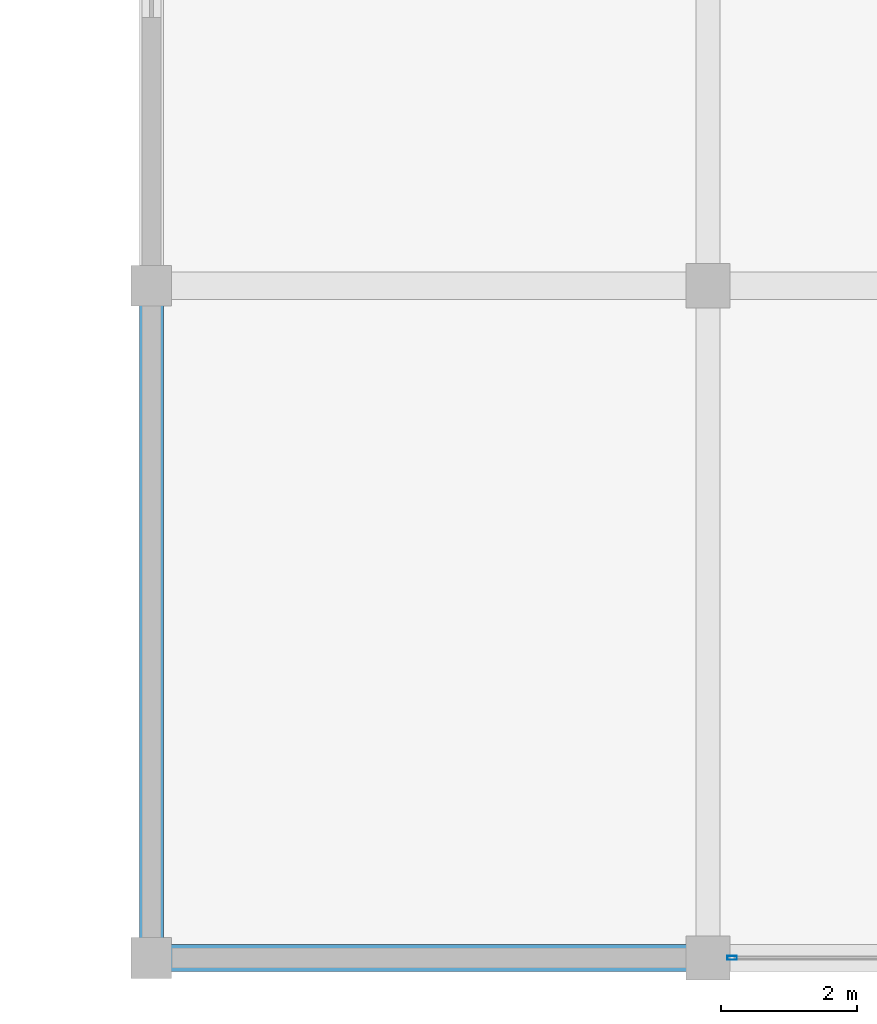
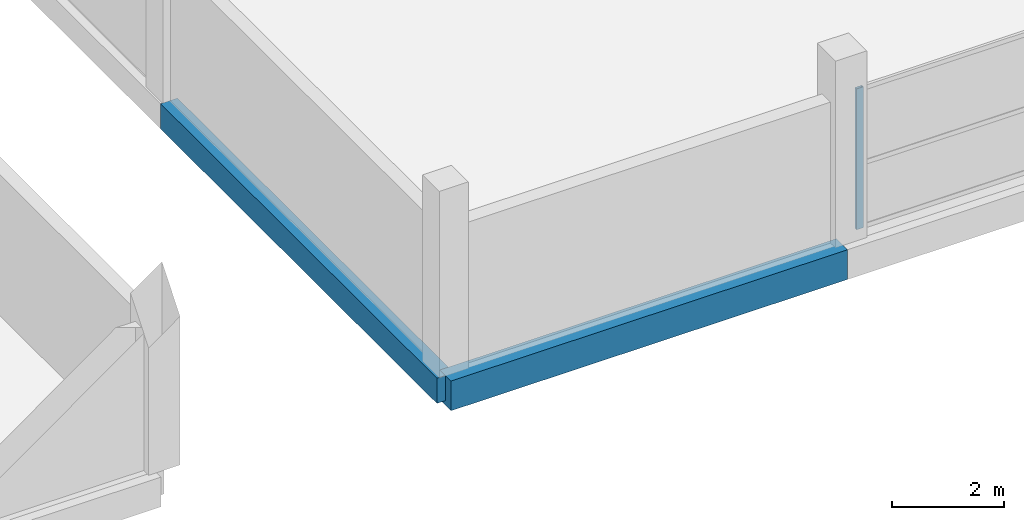
# One storey, part 13 of 70: 2 beams, 1 member, 1 element without a shape of its own.
"""IFC4 building model written with IfcOpenShell, lengths in metres."""

from ifc_helpers import new_model, si_unit, direction, frame, origin, origin_2d, place, context, subcontext, project, spatial, rectangle, hollow_rectangle, extrude, material, layer, layer_set, material_profile, profile_set, type_object, element, aggregate, save


model = new_model("IFC4")

# Units and contexts
model_context = context("Model", 3, precision=1e-05, world=origin(), true_north=direction((0.0, 1.0)))
body_context = subcontext(model_context, "Body", "Model", "MODEL_VIEW")
ifc_project = project(units=[si_unit("LENGTHUNIT", "METRE"), si_unit("AREAUNIT", "SQUARE_METRE"), si_unit("VOLUMEUNIT", "CUBIC_METRE"), si_unit("PLANEANGLEUNIT", "RADIAN"), si_unit("MASSUNIT", "GRAM", prefix="KILO")], contexts=[model_context])

# Site, building, storey
site_placement = place(None, origin())
site = spatial("IfcSite", under=ifc_project, at=site_placement, CompositionType="ELEMENT")
building_placement = place(site_placement, origin())
building = spatial("IfcBuilding", under=site, at=building_placement, Name="Sillaruma Civic Art Gallery", CompositionType="ELEMENT")
storey_placement = place(building_placement, frame((0.0, 0.0, 66.300048828125)))
storey = spatial("IfcBuildingStorey", under=building, at=storey_placement, Name="L13", CompositionType="ELEMENT", Elevation=66.300048828125)

# Beams
ifc_material_1 = material(Name="Concrete H35 (35 MPa)", Category="concrete")
ifc_material_profile_1 = material_profile(ifc_material_1, rectangle(XDim=0.35009765625, YDim=0.550048828125, at=origin_2d()), Name="RCB350x550")
ifc_profile_set_1 = profile_set([ifc_material_profile_1], Name="Concrete H35 (35 MPa)")
beam_type_1 = type_object("IfcBeamType", Name="BM-SPANDREL-RCB350x550", PredefinedType="SPANDREL", material=ifc_profile_set_1)
beam_1_placement = place(storey_placement, frame((98.0, 19.800048828125, -0.505126953125), z_axis=(0.0, 1.0, 0.0), x_axis=(-1.0, 0.0, 0.0)))
element("IfcBeam", 1, at=beam_1_placement, inside=storey, type_object=beam_type_1, Name="Beam BS-04 (L12:L:3-4)", PredefinedType="SPANDREL", context=body_context, shape_type="SweptSolid", body=[
    extrude(rectangle(XDim=0.35009765625, YDim=0.550048828125, at=origin_2d()), origin(), (0.0, 0.0, 1.0), 9.89990234375),
])
ifc_material_profile_2 = material_profile(ifc_material_1, rectangle(XDim=0.39990234375, YDim=0.64990234375, at=origin_2d()), Name="RCB400x650")
ifc_profile_set_2 = profile_set([ifc_material_profile_2], Name="Concrete H35 (35 MPa)")
beam_type_2 = type_object("IfcBeamType", Name="BM-SPANDREL-RCB400x650", PredefinedType="SPANDREL", material=ifc_profile_set_2)
beam_2_placement = place(storey_placement, frame((98.0, 19.800048828125, -0.554931640625), z_axis=(1.0, 0.0, 0.0), x_axis=(0.0, 1.0, 0.0)))
element("IfcBeam", 2, at=beam_2_placement, inside=storey, type_object=beam_type_2, Name="Beam BS-02 (L12:3:L-M)", PredefinedType="SPANDREL", context=body_context, shape_type="SweptSolid", body=[
    extrude(rectangle(XDim=0.39990234375, YDim=0.64990234375, at=origin_2d()), origin(), (0.0, 0.0, 1.0), 8.199951171875),
])

# Curtain wall, member
ifc_material_2 = material(Name="Thermally Broken Extruded Aluminium 6063-T6", Category="aluminium")
ifc_layer = layer(ifc_material_2, 0.139892578125, Name="Thermally Broken Extruded Aluminium 6063-T6")
ifc_layer_set = layer_set([ifc_layer], Name="Thermally Broken Extruded Aluminium 6063-T6")
curtain_wall_type = type_object("IfcCurtainWallType", Name="CW-UNI-107", PredefinedType="NOTDEFINED", material=ifc_layer_set)
curtain_wall_placement = place(storey_placement, origin())
curtain_wall = element("IfcCurtainWall", 3, at=curtain_wall_placement, inside=storey, type_object=curtain_wall_type, Name="Unitised Curtain Wall CW-107 (CW-L13-EBS-2)", PredefinedType="NOTDEFINED")
ifc_material_profile_3 = material_profile(ifc_material_2, hollow_rectangle(XDim=0.06005859375, YDim=0.139892578125, WallThickness=0.00341796875, at=origin_2d()), Name="CWM60x140")
ifc_profile_set_3 = profile_set([ifc_material_profile_3], Name="Thermally Broken Extruded Aluminium 6063-T6")
member_type = type_object("IfcMemberType", Name="MEM-MUL-CWM60x140", PredefinedType="MULLION", material=ifc_profile_set_3)
member_placement = place(storey_placement, frame((106.554931640625, 19.800048828125, 0.0), z_axis=(0.0, 0.0, 1.0), x_axis=(0.0, 1.0, 0.0)))
member = element("IfcMember", 4, at=member_placement, type_object=member_type, Name="CW-107 mullion 1", PredefinedType="MULLION", context=body_context, shape_type="SweptSolid", body=[
    extrude(hollow_rectangle(XDim=0.06005859375, YDim=0.139892578125, WallThickness=0.00341796875, at=origin_2d()), origin(), (0.0, 0.0, 1.0), 3.079833984375),
])
aggregate(curtain_wall, [member])

save(model, "model.ifc")
